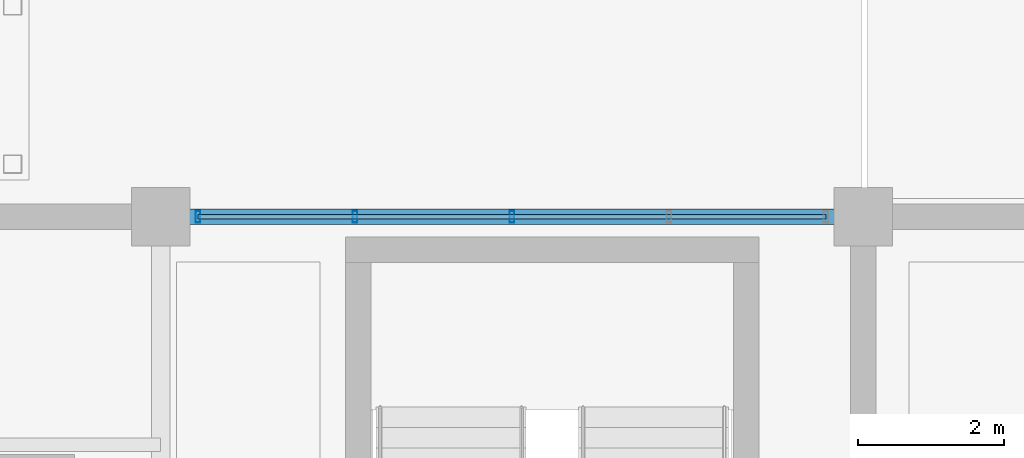
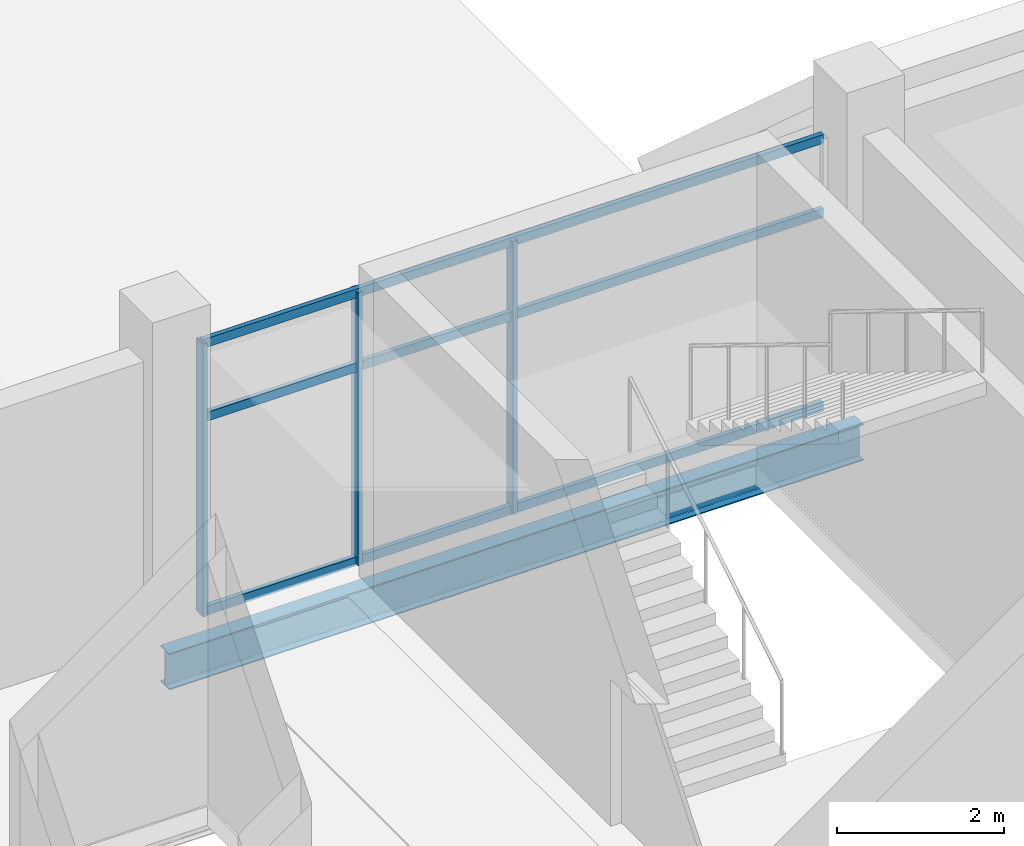
# One storey, part 54 of 116: 6 members, 1 beam, 1 element without a shape of its own.
"""IFC4 building model written with IfcOpenShell, lengths in metres."""

import ifcopenshell
import ifcopenshell.guid

model = None  # the IFC model being written
_history = None  # IfcOwnerHistory: only IFC2X3 demands one
_inside = {}  # id of a spatial element -> (the spatial element, [elements in it])
_under = {}  # id of a project, library or spatial element -> (it, [spatial elements below it])
_declared = {}  # id of a project -> (the project, [libraries it declares])
_typed = {}  # id of a type object -> (the type object, [elements of that type])
_made_of = {}  # id of a material, layer set ... -> (it, [elements and type objects made of it])


def new_model(schema):
    """Start an empty IFC model of exactly this schema.

    Asked for "IFC4X3", IfcOpenShell would pick the latest addendum, in which some entities
    have other attributes; the version numbers below select the first issue.
    IFC2X3 requires an IfcOwnerHistory on every rooted entity: one is made here for all.
    """
    global model, _history
    if schema == "IFC4X3":
        model = ifcopenshell.file(schema_version=(4, 3, 0, 0))
    else:
        model = ifcopenshell.file(schema=schema)
    _inside.clear()
    _under.clear()
    _declared.clear()
    _typed.clear()
    _made_of.clear()
    _history = None
    if model.schema == "IFC2X3":
        org = make("IfcOrganization", Name="unknown")
        user = make(
            "IfcPersonAndOrganization",
            ThePerson=make("IfcPerson", FamilyName="unknown"),
            TheOrganization=org,
        )
        app = make(
            "IfcApplication",
            ApplicationDeveloper=org,
            Version="unknown",
            ApplicationFullName="unknown",
            ApplicationIdentifier="unknown",
        )
        _history = make(
            "IfcOwnerHistory",
            OwningUser=user,
            OwningApplication=app,
            ChangeAction="ADDED",
            CreationDate=0,
        )
    return model


def make(cls, **values):
    """One entity of the class cls with the attributes given. An attribute that is None is left unset."""
    return model.create_entity(
        cls, **{name: value for name, value in values.items() if value is not None}
    )


def rooted(cls, **values):
    """An entity with a GlobalId (a new one), such as an element, a storey or a relation."""
    return make(cls, GlobalId=ifcopenshell.guid.new(), OwnerHistory=_history, **values)


def si_unit(unit_type, name, prefix=None):
    """IfcSIUnit, for example si_unit("LENGTHUNIT", "METRE", prefix="MILLI")."""
    return make("IfcSIUnit", UnitType=unit_type, Prefix=prefix, Name=name)


def assignment(units):
    """IfcUnitAssignment: the units of a project."""
    return None if units is None else make("IfcUnitAssignment", Units=units)


def point(xyz):
    """IfcCartesianPoint."""
    return None if xyz is None else make("IfcCartesianPoint", Coordinates=xyz)


def direction(xyz):
    """IfcDirection."""
    return None if xyz is None else make("IfcDirection", DirectionRatios=xyz)


def frame(location, z_axis=None, x_axis=None):
    """IfcAxis2Placement3D, a coordinate frame: its origin and axes. An axis left out is left unset."""
    return make(
        "IfcAxis2Placement3D",
        Location=point(location),
        Axis=direction(z_axis),
        RefDirection=direction(x_axis),
    )


def frame_2d(location, x_axis=None):
    """IfcAxis2Placement2D, a coordinate frame in the plane: its origin and x axis."""
    return make(
        "IfcAxis2Placement2D", Location=point(location), RefDirection=direction(x_axis)
    )


def origin():
    """The frame at (0, 0, 0) with its axes left unset."""
    return frame((0.0, 0.0, 0.0))


def origin_2d():
    """The frame at (0, 0) in the plane with its x axis left unset."""
    return frame_2d((0.0, 0.0))


def place(relative_to, where):
    """IfcLocalPlacement: puts the frame where relative to a parent placement (None: the world)."""
    return make(
        "IfcLocalPlacement", PlacementRelTo=relative_to, RelativePlacement=where
    )


def context(
    kind, dimensions, precision=None, world=None, true_north=None, identifier=None
):
    """IfcGeometricRepresentationContext, for example the 3D "Model" context."""
    return make(
        "IfcGeometricRepresentationContext",
        ContextIdentifier=identifier,
        ContextType=kind,
        CoordinateSpaceDimension=dimensions,
        Precision=precision,
        WorldCoordinateSystem=world,
        TrueNorth=true_north,
    )


def subcontext(parent, identifier, kind, view, scale=None):
    """IfcGeometricRepresentationSubContext, for example "Body" below "Model"."""
    return make(
        "IfcGeometricRepresentationSubContext",
        ContextIdentifier=identifier,
        ContextType=kind,
        ParentContext=parent,
        TargetScale=scale,
        TargetView=view,
    )


def project(units=None, contexts=None):
    """IfcProject with its units and contexts."""
    return rooted(
        "IfcProject",
        Name="project",
        RepresentationContexts=contexts,
        UnitsInContext=assignment(units),
    )


def spatial(cls, under=None, at=None, **own):
    """A site, building, storey or space (cls), placed at a placement, below another one or the project."""
    s = rooted(cls, ObjectPlacement=at, **own)
    if under is not None:
        _under.setdefault(under.id(), (under, []))[1].append(s)
    return s


def profile(cls, at=None, kind="AREA", **sizes):
    """A parametric profile (cls). Its sizes go by their IFC names, for example OverallWidth=200.0."""
    return make(cls, ProfileType=kind, Position=at, **sizes)


def hollow_rectangle(**sizes):
    """IfcRectangleHollowProfileDef."""
    return profile("IfcRectangleHollowProfileDef", **sizes)


def i_section(**sizes):
    """IfcIShapeProfileDef."""
    return profile("IfcIShapeProfileDef", **sizes)


def extrude(swept, where, along, depth):
    """IfcExtrudedAreaSolid: the profile swept, set in the frame where, extruded along a direction by depth."""
    return make(
        "IfcExtrudedAreaSolid",
        SweptArea=swept,
        Position=where,
        ExtrudedDirection=direction(along),
        Depth=depth,
    )


def shape(context_of_items, identifier, shape_type, items):
    """IfcShapeRepresentation: the items that make up one representation, for example the "Body"."""
    return make(
        "IfcShapeRepresentation",
        ContextOfItems=context_of_items,
        RepresentationIdentifier=identifier,
        RepresentationType=shape_type,
        Items=items,
    )


def material(Name=None, Category=None):
    """IfcMaterial."""
    return make("IfcMaterial", Name=Name, Category=Category)


def layer(
    of_material, thickness, ventilated=None, Name=None, Category=None, Priority=None
):
    """IfcMaterialLayer: one layer of a wall or slab, of a material (None: an air gap)."""
    return make(
        "IfcMaterialLayer",
        Material=of_material,
        LayerThickness=thickness,
        IsVentilated=ventilated,
        Name=Name,
        Category=Category,
        Priority=Priority,
    )


def layer_set(layers, Name=None):
    """IfcMaterialLayerSet."""
    return make("IfcMaterialLayerSet", MaterialLayers=layers, LayerSetName=Name)


def material_profile(
    of_material, cross_section, Name=None, Category=None, Priority=None
):
    """IfcMaterialProfile: a cross section and its material."""
    return make(
        "IfcMaterialProfile",
        Name=Name,
        Material=of_material,
        Profile=cross_section,
        Priority=Priority,
        Category=Category,
    )


def profile_set(profiles, Name=None, composite=None):
    """IfcMaterialProfileSet."""
    return make(
        "IfcMaterialProfileSet",
        Name=Name,
        MaterialProfiles=profiles,
        CompositeProfile=composite,
    )


def made_of(thing, what):
    """Note that an element or type object is made of a material, layer set ...; save() writes the relation."""
    if what is not None:
        _made_of.setdefault(what.id(), (what, []))[1].append(thing)
    return thing


def type_object(cls, material=None, **own):
    """A type object (cls), such as IfcWallType, which elements share."""
    return made_of(rooted(cls, **own), material)


def element(
    cls,
    number,
    at=None,
    inside=None,
    cuts=None,
    type_object=None,
    material=None,
    context=None,
    identifier="Body",
    shape_type=None,
    held_by="IfcProductDefinitionShape",
    body=None,
    shapes=None,
    **own,
):
    """One element of the class cls, such as IfcWall. Its Tag is "e" and its number.

    at: its placement. inside: the storey or other place that contains it. cuts: it is an
    opening in that element (IfcRelVoidsElement). A single representation is given by context,
    identifier, shape_type and body (its items); several are given by shapes. held_by: the class
    of the entity that holds the representations. save() writes the other relations.
    """
    e = rooted(cls, Tag="e%d" % number, ObjectPlacement=at, **own)
    if body is not None:
        shapes = [shape(context, identifier, shape_type, body)]
    if shapes is not None:
        e.Representation = make(held_by, Representations=shapes)
    if inside is not None:
        _inside.setdefault(inside.id(), (inside, []))[1].append(e)
    if cuts is not None:
        rooted(
            "IfcRelVoidsElement", RelatingBuildingElement=cuts, RelatedOpeningElement=e
        )
    if type_object is not None:
        _typed.setdefault(type_object.id(), (type_object, []))[1].append(e)
    return made_of(e, material)


def aggregate(whole, parts):
    """IfcRelAggregates: a whole, such as a stair, and the parts it consists of."""
    return rooted("IfcRelAggregates", RelatingObject=whole, RelatedObjects=parts)


def save(model, path):
    """Write the relations noted so far, then the file.

    IfcRelAggregates (storeys below a building ...), IfcRelContainedInSpatialStructure (elements
    in a storey), IfcRelDefinesByType, IfcRelAssociatesMaterial and IfcRelDeclares: one each for
    every whole, place, type object, material and project.
    """
    for whole, parts in _under.values():
        aggregate(whole, parts)
    for where, things in _inside.values():
        rooted(
            "IfcRelContainedInSpatialStructure",
            RelatedElements=things,
            RelatingStructure=where,
        )
    for kind, things in _typed.values():
        rooted("IfcRelDefinesByType", RelatedObjects=things, RelatingType=kind)
    for what, things in _made_of.values():
        rooted("IfcRelAssociatesMaterial", RelatedObjects=things, RelatingMaterial=what)
    for by, libraries in _declared.values():
        rooted("IfcRelDeclares", RelatingContext=by, RelatedDefinitions=libraries)
    model.write(path)


model = new_model("IFC4")

# Units and contexts
model_context = context("Model", 3, precision=1e-05, world=origin(), true_north=direction((0.0, 1.0)))
body_context = subcontext(model_context, "Body", "Model", "MODEL_VIEW")
ifc_project = project(units=[si_unit("LENGTHUNIT", "METRE"), si_unit("AREAUNIT", "SQUARE_METRE"), si_unit("VOLUMEUNIT", "CUBIC_METRE"), si_unit("PLANEANGLEUNIT", "RADIAN"), si_unit("MASSUNIT", "GRAM", prefix="KILO")], contexts=[model_context])

# Site, building, storey
site_placement = place(None, origin())
site = spatial("IfcSite", under=ifc_project, at=site_placement, CompositionType="ELEMENT")
building_placement = place(site_placement, origin())
building = spatial("IfcBuilding", under=site, at=building_placement, Name="Chalmorin Arch Market", CompositionType="ELEMENT")
storey_placement = place(building_placement, origin())
storey = spatial("IfcBuildingStorey", under=building, at=storey_placement, Name="L00", CompositionType="ELEMENT", Elevation=0.0)

# Curtain wall, members
ifc_material_1 = material(Name="Aluminium 6063-T6", Category="aluminium")
ifc_layer = layer(ifc_material_1, 0.159912109375)
ifc_layer_set = layer_set([ifc_layer], Name="Aluminium 6063-T6")
curtain_wall_type = type_object("IfcCurtainWallType", Name="RiverfrontStorefrontCurtainWall-CW2-8580x3990", PredefinedType="NOTDEFINED", material=ifc_layer_set)
curtain_wall_placement = place(storey_placement, origin())
curtain_wall = element("IfcCurtainWall", 1, at=curtain_wall_placement, inside=storey, type_object=curtain_wall_type, Name="CW-02-023", PredefinedType="NOTDEFINED")
ifc_material_profile_1 = material_profile(ifc_material_1, hollow_rectangle(XDim=0.06494140625, YDim=0.159912109375, WallThickness=0.00390625, at=origin_2d()), Name="ALU65X160X4")
ifc_profile_set_1 = profile_set([ifc_material_profile_1], Name="Aluminium 6063-T6")
member_type_1 = type_object("IfcMemberType", Name="CurtainWallMullion-65x160", PredefinedType="MULLION", material=ifc_profile_set_1)
member_1_placement = place(storey_placement, frame((115.7099609375, 58.800048828125, 0.0), z_axis=(0.0, 0.0, 1.0), x_axis=(1.0, 0.0, 0.0)))
member_1 = element("IfcMember", 2, at=member_1_placement, type_object=member_type_1, Name="ML-023-01", PredefinedType="MULLION", context=body_context, shape_type="SweptSolid", body=[
    extrude(hollow_rectangle(XDim=0.06494140625, YDim=0.159912109375, WallThickness=0.00390625, at=origin_2d()), origin(), (0.0, 0.0, 1.0), 3.986083984375),
])
member_2_placement = place(storey_placement, frame((117.85498046875, 58.800048828125, 0.0), z_axis=(0.0, 0.0, 1.0), x_axis=(1.0, 0.0, 0.0)))
member_2 = element("IfcMember", 3, at=member_2_placement, type_object=member_type_1, Name="ML-023-02", PredefinedType="MULLION", context=body_context, shape_type="SweptSolid", body=[
    extrude(hollow_rectangle(XDim=0.06494140625, YDim=0.159912109375, WallThickness=0.00390625, at=origin_2d()), origin(), (0.0, 0.0, 1.0), 3.986083984375),
])
member_3_placement = place(storey_placement, frame((120.0, 58.800048828125, 0.0), z_axis=(0.0, 0.0, 1.0), x_axis=(1.0, 0.0, 0.0)))
member_3 = element("IfcMember", 4, at=member_3_placement, type_object=member_type_1, Name="ML-023-03", PredefinedType="MULLION", context=body_context, shape_type="SweptSolid", body=[
    extrude(hollow_rectangle(XDim=0.06494140625, YDim=0.159912109375, WallThickness=0.00390625, at=origin_2d()), origin(), (0.0, 0.0, 1.0), 3.986083984375),
])
ifc_material_profile_2 = material_profile(ifc_material_1, hollow_rectangle(XDim=0.06494140625, YDim=0.1298828125, WallThickness=0.00390625, at=origin_2d()), Name="ALU65X130X4")
ifc_profile_set_2 = profile_set([ifc_material_profile_2], Name="Aluminium 6063-T6")
member_type_2 = type_object("IfcMemberType", Name="CurtainWallTransom-65x130", PredefinedType="USERDEFINED", material=ifc_profile_set_2)
member_4_placement = place(storey_placement, frame((115.7099609375, 58.800048828125, 0.034912109375), z_axis=(1.0, 0.0, 0.0), x_axis=(0.0, 1.0, 0.0)))
member_4 = element("IfcMember", 5, at=member_4_placement, type_object=member_type_2, Name="TR-023-01", ObjectType="TRANSOM", PredefinedType="USERDEFINED", context=body_context, shape_type="SweptSolid", body=[
    extrude(hollow_rectangle(XDim=0.06494140625, YDim=0.1298828125, WallThickness=0.00390625, at=origin_2d()), origin(), (0.0, 0.0, 1.0), 8.580078125),
])
member_5_placement = place(storey_placement, frame((115.7099609375, 58.800048828125, 2.869873046875), z_axis=(1.0, 0.0, 0.0), x_axis=(0.0, 1.0, 0.0)))
member_5 = element("IfcMember", 6, at=member_5_placement, type_object=member_type_2, Name="TR-023-02", ObjectType="TRANSOM", PredefinedType="USERDEFINED", context=body_context, shape_type="SweptSolid", body=[
    extrude(hollow_rectangle(XDim=0.06494140625, YDim=0.1298828125, WallThickness=0.00390625, at=origin_2d()), origin(), (0.0, 0.0, 1.0), 8.580078125),
])
member_6_placement = place(storey_placement, frame((115.7099609375, 58.800048828125, 3.950927734375), z_axis=(1.0, 0.0, 0.0), x_axis=(0.0, 1.0, 0.0)))
member_6 = element("IfcMember", 7, at=member_6_placement, type_object=member_type_2, Name="TR-023-03", ObjectType="TRANSOM", PredefinedType="USERDEFINED", context=body_context, shape_type="SweptSolid", body=[
    extrude(hollow_rectangle(XDim=0.06494140625, YDim=0.1298828125, WallThickness=0.00390625, at=origin_2d()), origin(), (0.0, 0.0, 1.0), 8.580078125),
])
aggregate(curtain_wall, [member_1, member_2, member_3, member_4, member_5, member_6])

# Beam
ifc_material_2 = material(Name="Steel A992 Grade 50", Category="steel")
ifc_material_profile_3 = material_profile(ifc_material_2, i_section(OverallWidth=0.208984375, OverallDepth=0.532958984375, WebThickness=0.01025390625, FlangeThickness=0.015625, FilletRadius=0.02197265625, at=origin_2d()), Name="W21X62")
ifc_profile_set_3 = profile_set([ifc_material_profile_3], Name="Steel A992 Grade 50")
beam_type = type_object("IfcBeamType", Name="PerimeterSpandrelBeam-W21X62", PredefinedType="SPANDREL", material=ifc_profile_set_3)
beam_placement = place(storey_placement, frame((115.199951171875, 58.800048828125, -0.618408203125), z_axis=(1.0, 0.0, 0.0), x_axis=(0.0, 1.0, 0.0)))
element("IfcBeam", 8, at=beam_placement, inside=storey, type_object=beam_type, Name="SP-W21-0109", PredefinedType="SPANDREL", context=body_context, shape_type="SweptSolid", body=[
    extrude(i_section(OverallWidth=0.208984375, OverallDepth=0.532958984375, WebThickness=0.01025390625, FlangeThickness=0.015625, FilletRadius=0.02197265625, at=origin_2d()), origin(), (0.0, 0.0, 1.0), 9.60009765625),
])

save(model, "model.ifc")
